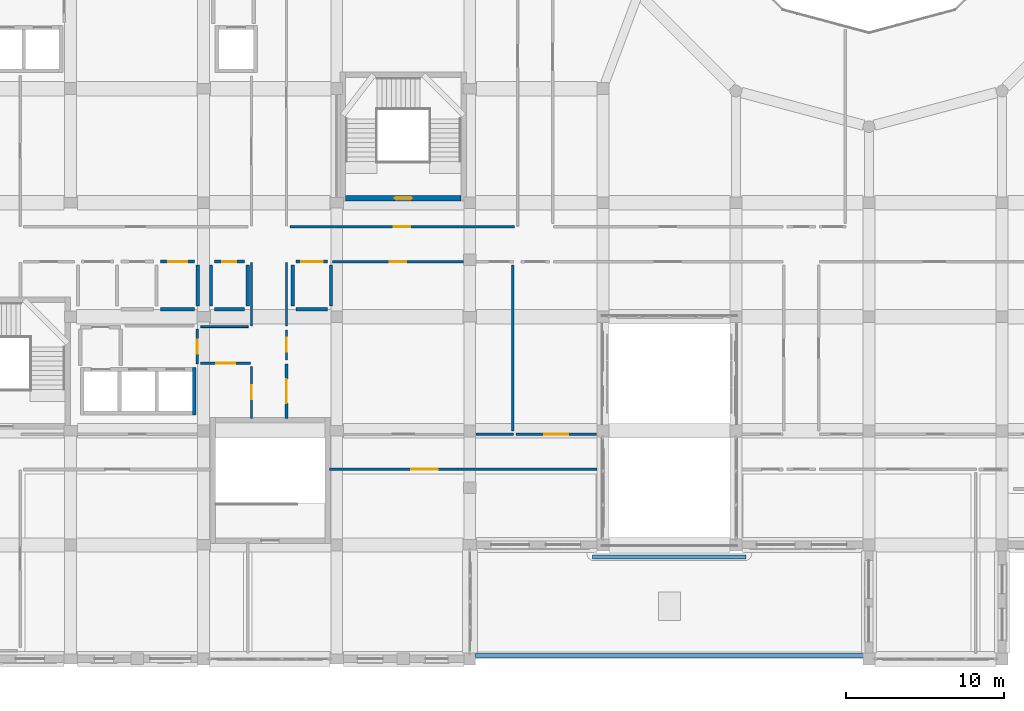
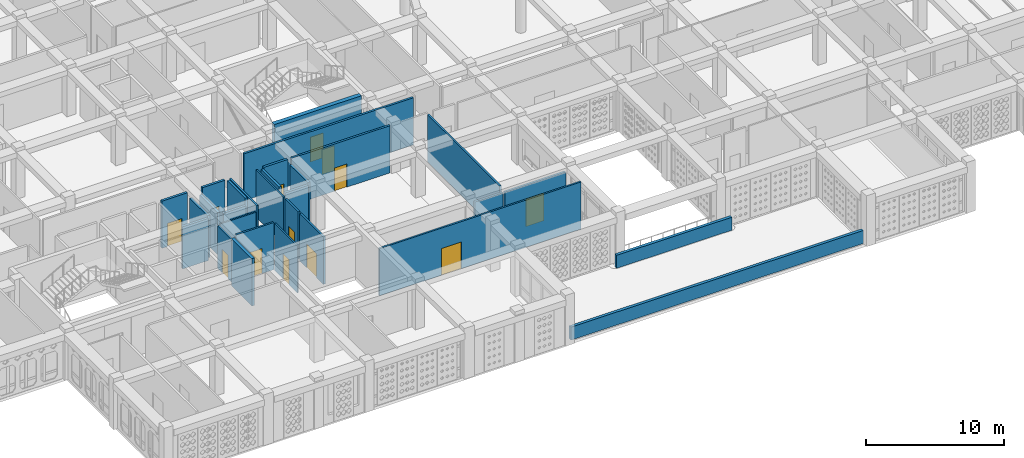
# One storey, part 57 of 111: 29 walls, 13 doors, 13 openings.
"""IFC4 building model written with IfcOpenShell, lengths in metres."""

from ifc_helpers import new_model, si_unit, derived_unit, direction, frame, frame_2d, origin, place, context, subcontext, project, spatial, rectangle, extrude, material, layer, layer_set, type_object, element, fill, save


model = new_model("IFC4")

# Units and contexts
model_context = context("Model", 3, precision=1e-05, world=origin(), true_north=direction((0.0, 1.0)))
body_context = subcontext(model_context, "Body", "Model", "MODEL_VIEW")
ifc_project = project(units=[si_unit("LENGTHUNIT", "METRE"), si_unit("AREAUNIT", "SQUARE_METRE"), si_unit("VOLUMEUNIT", "CUBIC_METRE"), si_unit("PLANEANGLEUNIT", "RADIAN"), si_unit("MASSUNIT", "GRAM", prefix="KILO"), derived_unit("THERMALTRANSMITTANCEUNIT", [(si_unit("POWERUNIT", "WATT"), 1), (si_unit("LENGTHUNIT", "METRE"), -2), (si_unit("THERMODYNAMICTEMPERATUREUNIT", "KELVIN"), -1)])], contexts=[model_context])

# Site, building, storey
site_placement = place(None, origin())
site = spatial("IfcSite", under=ifc_project, at=site_placement, CompositionType="ELEMENT")
building_placement = place(site_placement, origin())
building = spatial("IfcBuilding", under=site, at=building_placement, Name="Veybourne Emporium", CompositionType="ELEMENT")
storey_placement = place(building_placement, frame((0.0, 0.0, 9.89990234375)))
storey = spatial("IfcBuildingStorey", under=building, at=storey_placement, Name="L02", CompositionType="ELEMENT", Elevation=9.89990234375)

# Walls
ifc_material_1 = material(Name="Precast concrete C40/50", Category="concrete")
ifc_layer_1 = layer(ifc_material_1, 0.239990234375)
ifc_layer_set_1 = layer_set([ifc_layer_1], Name="Precast concrete C40/50")
wall_type_1 = type_object("IfcWallType", Name="ExtWall_PW-02", PredefinedType="PARAPET", material=ifc_layer_set_1)
wall_1_placement = place(storey_placement, frame((75.25, 0.219970703125, 0.0), z_axis=(0.0, 0.0, 1.0), x_axis=(-1.0, 0.0, 0.0)))
element("IfcWall", 1, at=wall_1_placement, inside=storey, type_object=wall_type_1, Name="L02 roof parapet wall 001", PredefinedType="PARAPET", context=body_context, shape_type="SweptSolid", body=[
    extrude(rectangle(XDim=24.5, YDim=0.239990234375, at=frame_2d((12.25, 0.0))), origin(), (0.0, 0.0, 1.0), 1.150146484375),
])
wall_2_placement = place(storey_placement, frame((58.159912109375, 6.429931640625, 0.0), z_axis=(0.0, 0.0, 1.0), x_axis=(1.0, 0.0, 0.0)))
element("IfcWall", 2, at=wall_2_placement, inside=storey, type_object=wall_type_1, Name="L02 roof parapet wall 002", PredefinedType="PARAPET", context=body_context, shape_type="SweptSolid", body=[
    extrude(rectangle(XDim=9.68017578125, YDim=0.239990234375, at=frame_2d((4.840087890625, 0.0))), origin(), (0.0, 0.0, 1.0), 1.150146484375),
])

# Wall, opening, door
ifc_material_2 = material(Name="Concrete C40/50", Category="concrete")
ifc_layer_2 = layer(ifc_material_2, 0.35009765625)
ifc_layer_set_2 = layer_set([ifc_layer_2], Name="Concrete C40/50")
wall_type_2 = type_object("IfcWallType", Name="IntWall_CW-02", PredefinedType="SHEAR", material=ifc_layer_set_2)
wall_3_placement = place(storey_placement, frame((49.85009765625, 29.074951171875, 0.0), z_axis=(0.0, 0.0, 1.0), x_axis=(-1.0, 0.0, 0.0)))
wall_3 = element("IfcWall", 3, at=wall_3_placement, inside=storey, type_object=wall_type_2, Name="Core stair ST-05 south shear wall (L02)", PredefinedType="SHEAR", context=body_context, shape_type="SweptSolid", body=[
    extrude(rectangle(XDim=7.300048828125, YDim=0.35009765625, at=frame_2d((3.64990234375, 0.0))), origin(), (0.0, 0.0, 1.0), 4.5),
])
opening_1_placement = place(wall_3_placement, frame((3.10009765625, 0.0, 0.0)))
opening_1 = element("IfcOpeningElement", 4, at=opening_1_placement, cuts=wall_3, Name="Opening FD-01", PredefinedType="OPENING", context=body_context, shape_type="SweptSolid", body=[
    extrude(rectangle(XDim=1.10009765625, YDim=2.199951171875, at=frame_2d((0.550048828125, 1.10009765625))), frame((0.0, 0.195068359375, 0.0), z_axis=(0.0, -1.0, 0.0), x_axis=(1.0, 0.0, 0.0)), (0.0, 0.0, 1.0), 0.39013671875),
])
ifc_material_3 = material(Name="Patinated Architectural Bronze", Category="bronze")
door_type_1 = type_object("IfcDoorType", Name="FireDoor_FD-01", OperationType="NOTDEFINED", PredefinedType="DOOR", material=ifc_material_3)
door_1_placement = place(opening_1_placement, origin())
door_1 = element("IfcDoor", 5, at=door_1_placement, inside=storey, type_object=door_type_1, Name="Stair ST-05 fire door (L02)", OperationType="SINGLE_SWING_RIGHT", OverallHeight=2.199951171875, OverallWidth=1.10009765625, PredefinedType="DOOR", context=body_context, shape_type="SweptSolid", body=[
    extrude(rectangle(XDim=1.10009765625, YDim=2.199951171875, at=frame_2d((0.550048828125, 1.10009765625))), frame((0.0, 0.02490234375, 0.0), z_axis=(0.0, -1.0, 0.0), x_axis=(1.0, 0.0, 0.0)), (0.0, 0.0, 1.0), 0.050048828125),
])
fill(opening_1, door_1)

# Wall
ifc_layer_3 = layer(ifc_material_2, 0.239990234375)
ifc_layer_set_3 = layer_set([ifc_layer_3], Name="Concrete C40/50")
wall_type_3 = type_object("IfcWallType", Name="IntWall_CW-04", PredefinedType="SHEAR", material=ifc_layer_set_3)
wall_4_placement = place(storey_placement, frame((33.0, 15.409912109375, 0.0), z_axis=(0.0, 0.0, 1.0), x_axis=(0.0, 1.0, 0.0)))
element("IfcWall", 6, at=wall_4_placement, inside=storey, type_object=wall_type_3, Name="Lift core C1 east shaft wall (L02)", PredefinedType="SHEAR", context=body_context, shape_type="SweptSolid", body=[
    extrude(rectangle(XDim=2.97998046875, YDim=0.239990234375, at=frame_2d((1.489990234375, 0.0))), origin(), (0.0, 0.0, 1.0), 4.18017578125),
])

# Wall, opening, door
ifc_material_4 = material(Name="Gypsum Acoustic Board", Category="gypsum")
ifc_layer_4 = layer(ifc_material_4, 0.179931640625)
ifc_layer_set_4 = layer_set([ifc_layer_4], Name="Gypsum Acoustic Board")
wall_type_4 = type_object("IfcWallType", Name="IntWall_IW-01", PredefinedType="PARTITIONING", material=ifc_layer_set_4)
wall_5_placement = place(storey_placement, frame((39.0400390625, 27.280029296875, 0.0), z_axis=(0.0, 0.0, 1.0), x_axis=(1.0, 0.0, 0.0)))
wall_5 = element("IfcWall", 7, at=wall_5_placement, inside=storey, type_object=wall_type_4, Name="L02 interior partition IW-01 #030", PredefinedType="PARTITIONING", context=body_context, shape_type="SweptSolid", body=[
    extrude(rectangle(XDim=14.169921875, YDim=0.179931640625, at=frame_2d((7.0849609375, 0.0))), origin(), (0.0, 0.0, 1.0), 4.18017578125),
])
opening_2_placement = place(wall_5_placement, frame((6.56494140625, 0.0, 0.0)))
opening_2 = element("IfcOpeningElement", 8, at=opening_2_placement, cuts=wall_5, Name="Opening D-14", PredefinedType="OPENING", context=body_context, shape_type="SweptSolid", body=[
    extrude(rectangle(XDim=1.0400390625, YDim=2.2099609375, at=frame_2d((0.52001953125, 1.10498046875))), frame((0.0, 0.10986328125, 0.0), z_axis=(0.0, -1.0, 0.0), x_axis=(1.0, 0.0, 0.0)), (0.0, 0.0, 1.0), 0.219970703125),
])
ifc_material_5 = material(Name="European Oak Veneer and Bronze", Category="wood")
door_type_2 = type_object("IfcDoorType", Name="IntDoor_D-14", OperationType="NOTDEFINED", PredefinedType="DOOR", material=ifc_material_5)
door_2_placement = place(opening_2_placement, origin())
door_2 = element("IfcDoor", 9, at=door_2_placement, inside=storey, type_object=door_type_2, Name="L02 interior door D-14 (PART-L02-030)", OperationType="SINGLE_SWING_LEFT", OverallHeight=2.2099609375, OverallWidth=1.0400390625, PredefinedType="DOOR", context=body_context, shape_type="SweptSolid", body=[
    extrude(rectangle(XDim=1.0400390625, YDim=2.2099609375, at=frame_2d((0.52001953125, 1.10498046875))), frame((0.0, 0.02490234375, 0.0), z_axis=(0.0, -1.0, 0.0), x_axis=(1.0, 0.0, 0.0)), (0.0, 0.0, 1.0), 0.050048828125),
])
fill(opening_2, door_2)

# Wall
wall_6_placement = place(storey_placement, frame((50.794921875, 14.179931640625, 0.0), z_axis=(0.0, 0.0, 1.0), x_axis=(1.0, 0.0, 0.0)))
element("IfcWall", 10, at=wall_6_placement, inside=storey, type_object=wall_type_4, Name="L02 interior partition IW-01 #051", PredefinedType="PARTITIONING", context=body_context, shape_type="SweptSolid", body=[
    extrude(rectangle(XDim=2.360107421875, YDim=0.179931640625, at=frame_2d((1.18017578125, 0.0))), origin(), (0.0, 0.0, 1.0), 3.72998046875),
])

# Wall, opening, door
wall_7_placement = place(storey_placement, frame((41.735107421875, 25.070068359375, 0.0), z_axis=(0.0, 0.0, 1.0), x_axis=(1.0, 0.0, 0.0)))
wall_7 = element("IfcWall", 11, at=wall_7_placement, inside=storey, type_object=wall_type_4, Name="L02 interior partition IW-01 #054", PredefinedType="PARTITIONING", context=body_context, shape_type="SweptSolid", body=[
    extrude(rectangle(XDim=8.2548828125, YDim=0.179931640625, at=frame_2d((4.12744140625, 0.0))), origin(), (0.0, 0.0, 1.0), 4.18017578125),
])
opening_3_placement = place(wall_7_placement, frame((3.607421875, 0.0, 0.0)))
opening_3 = element("IfcOpeningElement", 12, at=opening_3_placement, cuts=wall_7, Name="Opening D-02", PredefinedType="OPENING", context=body_context, shape_type="SweptSolid", body=[
    extrude(rectangle(XDim=1.0400390625, YDim=2.050048828125, at=frame_2d((0.52001953125, 1.02490234375))), frame((0.0, 0.10986328125, 0.0), z_axis=(0.0, -1.0, 0.0), x_axis=(1.0, 0.0, 0.0)), (0.0, 0.0, 1.0), 0.219970703125),
])
door_type_3 = type_object("IfcDoorType", Name="IntDoor_D-02", OperationType="NOTDEFINED", PredefinedType="DOOR", material=ifc_material_5)
door_3_placement = place(opening_3_placement, origin())
door_3 = element("IfcDoor", 13, at=door_3_placement, inside=storey, type_object=door_type_3, Name="L02 interior door D-02 (PART-L02-054)", OperationType="SINGLE_SWING_RIGHT", OverallHeight=2.050048828125, OverallWidth=1.0400390625, PredefinedType="DOOR", context=body_context, shape_type="SweptSolid", body=[
    extrude(rectangle(XDim=1.0400390625, YDim=2.050048828125, at=frame_2d((0.52001953125, 1.02490234375))), frame((0.0, 0.02490234375, 0.0), z_axis=(0.0, -1.0, 0.0), x_axis=(1.0, 0.0, 0.0)), (0.0, 0.0, 1.0), 0.050048828125),
])
fill(opening_3, door_3)

wall_8_placement = place(storey_placement, frame((53.31494140625, 14.179931640625, 0.0), z_axis=(0.0, 0.0, 1.0), x_axis=(1.0, 0.0, 0.0)))
wall_8 = element("IfcWall", 14, at=wall_8_placement, inside=storey, type_object=wall_type_4, Name="L02 interior partition IW-01 #087", PredefinedType="PARTITIONING", context=body_context, shape_type="SweptSolid", body=[
    extrude(rectangle(XDim=5.090087890625, YDim=0.179931640625, at=frame_2d((2.544921875, 0.0))), origin(), (0.0, 0.0, 1.0), 3.72998046875),
])
opening_4_placement = place(wall_8_placement, frame((1.784912109375, 0.0, 0.0)))
opening_4 = element("IfcOpeningElement", 15, at=opening_4_placement, cuts=wall_8, Name="Opening D-35", PredefinedType="OPENING", context=body_context, shape_type="SweptSolid", body=[
    extrude(rectangle(XDim=1.52001953125, YDim=2.449951171875, at=frame_2d((0.760009765625, 1.22509765625))), frame((0.0, 0.10986328125, 0.0), z_axis=(0.0, -1.0, 0.0), x_axis=(1.0, 0.0, 0.0)), (0.0, 0.0, 1.0), 0.219970703125),
])
door_type_4 = type_object("IfcDoorType", Name="IntDoor_D-35", OperationType="NOTDEFINED", PredefinedType="DOOR", material=ifc_material_5)
door_4_placement = place(opening_4_placement, origin())
door_4 = element("IfcDoor", 16, at=door_4_placement, inside=storey, type_object=door_type_4, Name="L02 interior door D-35 (PART-L02-087)", OperationType="SINGLE_SWING_RIGHT", OverallHeight=2.449951171875, OverallWidth=1.52001953125, PredefinedType="DOOR", context=body_context, shape_type="SweptSolid", body=[
    extrude(rectangle(XDim=1.52001953125, YDim=2.449951171875, at=frame_2d((0.760009765625, 1.22509765625))), frame((0.0, 0.02490234375, 0.0), z_axis=(0.0, -1.0, 0.0), x_axis=(1.0, 0.0, 0.0)), (0.0, 0.0, 1.0), 0.050048828125),
])
fill(opening_4, door_4)

wall_9_placement = place(storey_placement, frame((38.830078125, 15.18994140625, 0.0), z_axis=(0.0, 0.0, 1.0), x_axis=(0.0, 1.0, 0.0)))
wall_9 = element("IfcWall", 17, at=wall_9_placement, inside=storey, type_object=wall_type_4, Name="L02 interior partition IW-01 #099", PredefinedType="PARTITIONING", context=body_context, shape_type="SweptSolid", body=[
    extrude(rectangle(XDim=3.43017578125, YDim=0.179931640625, at=frame_2d((1.715087890625, 0.0))), origin(), (0.0, 0.0, 1.0), 4.18017578125),
])
opening_5_placement = place(wall_9_placement, frame((0.955078125, 0.0, 0.0)))
opening_5 = element("IfcOpeningElement", 18, at=opening_5_placement, cuts=wall_9, Name="Opening D-11", PredefinedType="OPENING", context=body_context, shape_type="SweptSolid", body=[
    extrude(rectangle(XDim=1.52001953125, YDim=2.1298828125, at=frame_2d((0.760009765625, 1.06494140625))), frame((0.0, 0.10986328125, 0.0), z_axis=(0.0, -1.0, 0.0), x_axis=(1.0, 0.0, 0.0)), (0.0, 0.0, 1.0), 0.219970703125),
])
door_type_5 = type_object("IfcDoorType", Name="IntDoor_D-11", OperationType="NOTDEFINED", PredefinedType="DOOR", material=ifc_material_5)
door_5_placement = place(opening_5_placement, origin())
door_5 = element("IfcDoor", 19, at=door_5_placement, inside=storey, type_object=door_type_5, Name="L02 interior door D-11 (PART-L02-099)", OperationType="SINGLE_SWING_LEFT", OverallHeight=2.1298828125, OverallWidth=1.52001953125, PredefinedType="DOOR", context=body_context, shape_type="SweptSolid", body=[
    extrude(rectangle(XDim=1.52001953125, YDim=2.1298828125, at=frame_2d((0.760009765625, 1.06494140625))), frame((0.0, 0.02490234375, 0.0), z_axis=(0.0, -1.0, 0.0), x_axis=(1.0, 0.0, 0.0)), (0.0, 0.0, 1.0), 0.050048828125),
])
fill(opening_5, door_5)

ifc_layer_5 = layer(ifc_material_4, 0.14990234375)
ifc_layer_set_5 = layer_set([ifc_layer_5], Name="Gypsum Acoustic Board")
wall_type_5 = type_object("IfcWallType", Name="IntWall_IW-02", PredefinedType="PARTITIONING", material=ifc_layer_set_5)
wall_10_placement = place(storey_placement, frame((41.5400390625, 11.969970703125, 0.0), z_axis=(0.0, 0.0, 1.0), x_axis=(1.0, 0.0, 0.0)))
wall_10 = element("IfcWall", 20, at=wall_10_placement, inside=storey, type_object=wall_type_5, Name="L02 interior partition IW-02 #010", PredefinedType="PARTITIONING", context=body_context, shape_type="SweptSolid", body=[
    extrude(rectangle(XDim=16.889892578125, YDim=0.14990234375, at=frame_2d((8.44482421875, 0.0))), origin(), (0.0, 0.0, 1.0), 4.18017578125),
])
opening_6_placement = place(wall_10_placement, frame((5.17138671875, 0.0, 0.0)))
opening_6 = element("IfcOpeningElement", 21, at=opening_6_placement, cuts=wall_10, Name="Opening D-30", PredefinedType="OPENING", context=body_context, shape_type="SweptSolid", body=[
    extrude(rectangle(XDim=1.679931640625, YDim=2.3701171875, at=frame_2d((0.83984375, 1.18505859375))), frame((0.0, 0.094970703125, 0.0), z_axis=(0.0, -1.0, 0.0), x_axis=(1.0, 0.0, 0.0)), (0.0, 0.0, 1.0), 0.18994140625),
])
door_type_6 = type_object("IfcDoorType", Name="IntDoor_D-30", OperationType="DOUBLE_DOOR_SINGLE_SWING", PredefinedType="DOOR", material=ifc_material_5)
door_6_placement = place(opening_6_placement, origin())
door_6 = element("IfcDoor", 22, at=door_6_placement, inside=storey, type_object=door_type_6, Name="L02 interior door D-30 (PART-L02-010)", OperationType="DOUBLE_DOOR_SINGLE_SWING", OverallHeight=2.3701171875, OverallWidth=1.679931640625, PredefinedType="DOOR", context=body_context, shape_type="SweptSolid", body=[
    extrude(rectangle(XDim=1.679931640625, YDim=2.3701171875, at=frame_2d((0.83984375, 1.18505859375))), frame((0.0, 0.02490234375, 0.0), z_axis=(0.0, -1.0, 0.0), x_axis=(1.0, 0.0, 0.0)), (0.0, 0.0, 1.0), 0.050048828125),
])
fill(opening_6, door_6)

# Wall
wall_11_placement = place(storey_placement, frame((36.6201171875, 21.030029296875, 0.0), z_axis=(0.0, 0.0, 1.0), x_axis=(0.0, 1.0, 0.0)))
element("IfcWall", 23, at=wall_11_placement, inside=storey, type_object=wall_type_5, Name="L02 interior partition IW-02 #094", PredefinedType="PARTITIONING", context=body_context, shape_type="SweptSolid", body=[
    extrude(rectangle(XDim=3.989990234375, YDim=0.14990234375, at=frame_2d((1.9951171875, 0.0))), origin(), (0.0, 0.0, 1.0), 4.18017578125),
])

# Wall, opening, door
wall_12_placement = place(storey_placement, frame((33.409912109375, 18.669921875, 0.0), z_axis=(0.0, 0.0, 1.0), x_axis=(1.0, 0.0, 0.0)))
wall_12 = element("IfcWall", 24, at=wall_12_placement, inside=storey, type_object=wall_type_5, Name="L02 interior partition IW-02 #103", PredefinedType="PARTITIONING", context=body_context, shape_type="SweptSolid", body=[
    extrude(rectangle(XDim=3.16015625, YDim=0.14990234375, at=frame_2d((1.580078125, 0.0))), origin(), (0.0, 0.0, 1.0), 4.18017578125),
])
opening_7_placement = place(wall_12_placement, frame((0.97998046875, 0.0, 0.0)))
opening_7 = element("IfcOpeningElement", 25, at=opening_7_placement, cuts=wall_12, Name="Opening D-15", PredefinedType="OPENING", context=body_context, shape_type="SweptSolid", body=[
    extrude(rectangle(XDim=1.199951171875, YDim=2.2099609375, at=frame_2d((0.60009765625, 1.10498046875))), frame((0.0, 0.094970703125, 0.0), z_axis=(0.0, -1.0, 0.0), x_axis=(1.0, 0.0, 0.0)), (0.0, 0.0, 1.0), 0.18994140625),
])
door_type_7 = type_object("IfcDoorType", Name="IntDoor_D-15", OperationType="NOTDEFINED", PredefinedType="DOOR", material=ifc_material_5)
door_7_placement = place(opening_7_placement, origin())
door_7 = element("IfcDoor", 26, at=door_7_placement, inside=storey, type_object=door_type_7, Name="L02 interior door D-15 (PART-L02-103)", OperationType="SINGLE_SWING_LEFT", OverallHeight=2.2099609375, OverallWidth=1.199951171875, PredefinedType="DOOR", context=body_context, shape_type="SweptSolid", body=[
    extrude(rectangle(XDim=1.199951171875, YDim=2.2099609375, at=frame_2d((0.60009765625, 1.10498046875))), frame((0.0, 0.02490234375, 0.0), z_axis=(0.0, -1.0, 0.0), x_axis=(1.0, 0.0, 0.0)), (0.0, 0.0, 1.0), 0.050048828125),
])
fill(opening_7, door_7)

wall_13_placement = place(storey_placement, frame((33.199951171875, 18.6201171875, 0.0), z_axis=(0.0, 0.0, 1.0), x_axis=(0.0, 1.0, 0.0)))
wall_13 = element("IfcWall", 27, at=wall_13_placement, inside=storey, type_object=wall_type_5, Name="L02 interior partition IW-02 #124", PredefinedType="PARTITIONING", context=body_context, shape_type="SweptSolid", body=[
    extrude(rectangle(XDim=2.199951171875, YDim=0.14990234375, at=frame_2d((1.10009765625, 0.0))), origin(), (0.0, 0.0, 1.0), 3.72998046875),
])
opening_8_placement = place(wall_13_placement, frame((0.659912109375, 0.0, 0.0)))
opening_8 = element("IfcOpeningElement", 28, at=opening_8_placement, cuts=wall_13, Name="Opening D-01", PredefinedType="OPENING", context=body_context, shape_type="SweptSolid", body=[
    extrude(rectangle(XDim=0.8798828125, YDim=2.050048828125, at=frame_2d((0.43994140625, 1.02490234375))), frame((0.0, 0.094970703125, 0.0), z_axis=(0.0, -1.0, 0.0), x_axis=(1.0, 0.0, 0.0)), (0.0, 0.0, 1.0), 0.18994140625),
])
door_type_8 = type_object("IfcDoorType", Name="IntDoor_D-01", OperationType="NOTDEFINED", PredefinedType="DOOR", material=ifc_material_5)
door_8_placement = place(opening_8_placement, origin())
door_8 = element("IfcDoor", 29, at=door_8_placement, inside=storey, type_object=door_type_8, Name="L02 interior door D-01 (PART-L02-124)", OperationType="SINGLE_SWING_RIGHT", OverallHeight=2.050048828125, OverallWidth=0.8798828125, PredefinedType="DOOR", context=body_context, shape_type="SweptSolid", body=[
    extrude(rectangle(XDim=0.8798828125, YDim=2.050048828125, at=frame_2d((0.43994140625, 1.02490234375))), frame((0.0, 0.02490234375, 0.0), z_axis=(0.0, -1.0, 0.0), x_axis=(1.0, 0.0, 0.0)), (0.0, 0.0, 1.0), 0.050048828125),
])
fill(opening_8, door_8)

wall_14_placement = place(storey_placement, frame((38.830078125, 18.8798828125, 0.0), z_axis=(0.0, 0.0, 1.0), x_axis=(0.0, 1.0, 0.0)))
wall_14 = element("IfcWall", 30, at=wall_14_placement, inside=storey, type_object=wall_type_5, Name="L02 interior partition IW-02 #136", PredefinedType="PARTITIONING", context=body_context, shape_type="SweptSolid", body=[
    extrude(rectangle(XDim=1.89013671875, YDim=0.14990234375, at=frame_2d((0.945068359375, 0.0))), origin(), (0.0, 0.0, 1.0), 4.18017578125),
])
opening_9_placement = place(wall_14_placement, frame((0.5048828125, 0.0, 0.0)))
opening_9 = element("IfcOpeningElement", 31, at=opening_9_placement, cuts=wall_14, Name="Opening D-01", PredefinedType="OPENING", context=body_context, shape_type="SweptSolid", body=[
    extrude(rectangle(XDim=0.8798828125, YDim=2.050048828125, at=frame_2d((0.43994140625, 1.02490234375))), frame((0.0, 0.094970703125, 0.0), z_axis=(0.0, -1.0, 0.0), x_axis=(1.0, 0.0, 0.0)), (0.0, 0.0, 1.0), 0.18994140625),
])
door_9_placement = place(opening_9_placement, origin())
door_9 = element("IfcDoor", 32, at=door_9_placement, inside=storey, type_object=door_type_8, Name="L02 interior door D-01 (PART-L02-136)", OperationType="SINGLE_SWING_RIGHT", OverallHeight=2.050048828125, OverallWidth=0.8798828125, PredefinedType="DOOR", context=body_context, shape_type="SweptSolid", body=[
    extrude(rectangle(XDim=0.8798828125, YDim=2.050048828125, at=frame_2d((0.43994140625, 1.02490234375))), frame((0.0, 0.02490234375, 0.0), z_axis=(0.0, -1.0, 0.0), x_axis=(1.0, 0.0, 0.0)), (0.0, 0.0, 1.0), 0.050048828125),
])
fill(opening_9, door_9)

# Walls
wall_15_placement = place(storey_placement, frame((53.10498046875, 14.389892578125, 0.0), z_axis=(0.0, 0.0, 1.0), x_axis=(0.0, 1.0, 0.0)))
element("IfcWall", 33, at=wall_15_placement, inside=storey, type_object=wall_type_5, Name="L02 interior partition IW-02 #181", PredefinedType="PARTITIONING", context=body_context, shape_type="SweptSolid", body=[
    extrude(rectangle(XDim=10.47021484375, YDim=0.14990234375, at=frame_2d((5.235107421875, 0.0))), origin(), (0.0, 0.0, 1.0), 4.18017578125),
])
ifc_layer_6 = layer(ifc_material_4, 0.1201171875)
ifc_layer_set_6 = layer_set([ifc_layer_6], Name="Gypsum Acoustic Board")
wall_type_6 = type_object("IfcWallType", Name="IntWall_IW-03", PredefinedType="PARTITIONING", material=ifc_layer_set_6)
wall_16_placement = place(storey_placement, frame((38.830078125, 21.030029296875, 0.0), z_axis=(0.0, 0.0, 1.0), x_axis=(0.0, 1.0, 0.0)))
element("IfcWall", 34, at=wall_16_placement, inside=storey, type_object=wall_type_6, Name="L02 interior partition IW-03 #095", PredefinedType="PARTITIONING", context=body_context, shape_type="SweptSolid", body=[
    extrude(rectangle(XDim=3.989990234375, YDim=0.1201171875, at=frame_2d((1.9951171875, 0.0))), origin(), (0.0, 0.0, 1.0), 4.18017578125),
])

# Wall, opening, door
wall_17_placement = place(storey_placement, frame((36.6201171875, 15.18994140625, 0.0), z_axis=(0.0, 0.0, 1.0), x_axis=(0.0, 1.0, 0.0)))
wall_17 = element("IfcWall", 35, at=wall_17_placement, inside=storey, type_object=wall_type_6, Name="L02 interior partition IW-03 #101", PredefinedType="PARTITIONING", context=body_context, shape_type="SweptSolid", body=[
    extrude(rectangle(XDim=3.27001953125, YDim=0.1201171875, at=frame_2d((1.635009765625, 0.0))), origin(), (0.0, 0.0, 1.0), 4.18017578125),
])
opening_10_placement = place(wall_17_placement, frame((1.195068359375, 0.0, 0.0)))
opening_10 = element("IfcOpeningElement", 36, at=opening_10_placement, cuts=wall_17, Name="Opening D-13", PredefinedType="OPENING", context=body_context, shape_type="SweptSolid", body=[
    extrude(rectangle(XDim=0.8798828125, YDim=2.2099609375, at=frame_2d((0.43994140625, 1.10498046875))), frame((0.0, 0.080078125, 0.0), z_axis=(0.0, -1.0, 0.0), x_axis=(1.0, 0.0, 0.0)), (0.0, 0.0, 1.0), 0.16015625),
])
door_type_9 = type_object("IfcDoorType", Name="IntDoor_D-13", OperationType="NOTDEFINED", PredefinedType="DOOR", material=ifc_material_5)
door_10_placement = place(opening_10_placement, origin())
door_10 = element("IfcDoor", 37, at=door_10_placement, inside=storey, type_object=door_type_9, Name="L02 interior door D-13 (PART-L02-101)", OperationType="SINGLE_SWING_LEFT", OverallHeight=2.2099609375, OverallWidth=0.8798828125, PredefinedType="DOOR", context=body_context, shape_type="SweptSolid", body=[
    extrude(rectangle(XDim=0.8798828125, YDim=2.2099609375, at=frame_2d((0.43994140625, 1.10498046875))), frame((0.0, 0.02490234375, 0.0), z_axis=(0.0, -1.0, 0.0), x_axis=(1.0, 0.0, 0.0)), (0.0, 0.0, 1.0), 0.050048828125),
])
fill(opening_10, door_10)

# Wall
wall_18_placement = place(storey_placement, frame((33.409912109375, 20.97998046875, 0.0), z_axis=(0.0, 0.0, 1.0), x_axis=(1.0, 0.0, 0.0)))
element("IfcWall", 38, at=wall_18_placement, inside=storey, type_object=wall_type_6, Name="L02 interior partition IW-03 #104", PredefinedType="PARTITIONING", context=body_context, shape_type="SweptSolid", body=[
    extrude(rectangle(XDim=3.0, YDim=0.1201171875, at=frame_2d((1.5, 0.0))), origin(), (0.0, 0.0, 1.0), 3.72998046875),
])

# Wall, opening, door
ifc_layer_7 = layer(ifc_material_4, 0.199951171875)
ifc_layer_set_7 = layer_set([ifc_layer_7], Name="Gypsum Acoustic Board")
wall_type_7 = type_object("IfcWallType", Name="IntWall_IW-04", PredefinedType="PLUMBINGWALL", material=ifc_layer_set_7)
wall_19_placement = place(storey_placement, frame((30.8798828125, 25.080078125, 0.0), z_axis=(0.0, 0.0, 1.0), x_axis=(1.0, 0.0, 0.0)))
wall_19 = element("IfcWall", 39, at=wall_19_placement, inside=storey, type_object=wall_type_7, Name="L02 interior partition IW-04 #127", PredefinedType="PLUMBINGWALL", context=body_context, shape_type="SweptSolid", body=[
    extrude(rectangle(XDim=2.14013671875, YDim=0.199951171875, at=frame_2d((1.070068359375, 0.0))), origin(), (0.0, 0.0, 1.0), 4.18017578125),
])
opening_11_placement = place(wall_19_placement, frame((0.469970703125, 0.0, 0.0)))
opening_11 = element("IfcOpeningElement", 40, at=opening_11_placement, cuts=wall_19, Name="Opening D-03", PredefinedType="OPENING", context=body_context, shape_type="SweptSolid", body=[
    extrude(rectangle(XDim=1.199951171875, YDim=2.050048828125, at=frame_2d((0.60009765625, 1.02490234375))), frame((0.0, 0.1201171875, 0.0), z_axis=(0.0, -1.0, 0.0), x_axis=(1.0, 0.0, 0.0)), (0.0, 0.0, 1.0), 0.239990234375),
])
door_type_10 = type_object("IfcDoorType", Name="IntDoor_D-03", OperationType="NOTDEFINED", PredefinedType="DOOR", material=ifc_material_5)
door_11_placement = place(opening_11_placement, origin())
door_11 = element("IfcDoor", 41, at=door_11_placement, inside=storey, type_object=door_type_10, Name="L02 interior door D-03 (PART-L02-127)", OperationType="SINGLE_SWING_RIGHT", OverallHeight=2.050048828125, OverallWidth=1.199951171875, PredefinedType="DOOR", context=body_context, shape_type="SweptSolid", body=[
    extrude(rectangle(XDim=1.199951171875, YDim=2.050048828125, at=frame_2d((0.60009765625, 1.02490234375))), frame((0.0, 0.02490234375, 0.0), z_axis=(0.0, -1.0, 0.0), x_axis=(1.0, 0.0, 0.0)), (0.0, 0.0, 1.0), 0.050048828125),
])
fill(opening_11, door_11)

wall_20_placement = place(storey_placement, frame((39.429931640625, 25.080078125, 0.0), z_axis=(0.0, 0.0, 1.0), x_axis=(1.0, 0.0, 0.0)))
wall_20 = element("IfcWall", 42, at=wall_20_placement, inside=storey, type_object=wall_type_7, Name="L02 interior partition IW-04 #134", PredefinedType="PLUMBINGWALL", context=body_context, shape_type="SweptSolid", body=[
    extrude(rectangle(XDim=1.989990234375, YDim=0.199951171875, at=frame_2d((0.9951171875, 0.0))), origin(), (0.0, 0.0, 1.0), 4.18017578125),
])
opening_12_placement = place(wall_20_placement, frame((0.31494140625, 0.0, 0.0)))
opening_12 = element("IfcOpeningElement", 43, at=opening_12_placement, cuts=wall_20, Name="Opening D-10", PredefinedType="OPENING", context=body_context, shape_type="SweptSolid", body=[
    extrude(rectangle(XDim=1.360107421875, YDim=2.1298828125, at=frame_2d((0.68017578125, 1.06494140625))), frame((0.0, 0.1201171875, 0.0), z_axis=(0.0, -1.0, 0.0), x_axis=(1.0, 0.0, 0.0)), (0.0, 0.0, 1.0), 0.239990234375),
])
door_type_11 = type_object("IfcDoorType", Name="IntDoor_D-10", OperationType="NOTDEFINED", PredefinedType="DOOR", material=ifc_material_5)
door_12_placement = place(opening_12_placement, origin())
door_12 = element("IfcDoor", 44, at=door_12_placement, inside=storey, type_object=door_type_11, Name="L02 interior door D-10 (PART-L02-134)", OperationType="SINGLE_SWING_RIGHT", OverallHeight=2.1298828125, OverallWidth=1.360107421875, PredefinedType="DOOR", context=body_context, shape_type="SweptSolid", body=[
    extrude(rectangle(XDim=1.360107421875, YDim=2.1298828125, at=frame_2d((0.68017578125, 1.06494140625))), frame((0.0, 0.02490234375, 0.0), z_axis=(0.0, -1.0, 0.0), x_axis=(1.0, 0.0, 0.0)), (0.0, 0.0, 1.0), 0.050048828125),
])
fill(opening_12, door_12)

wall_21_placement = place(storey_placement, frame((34.280029296875, 25.080078125, 0.0), z_axis=(0.0, 0.0, 1.0), x_axis=(1.0, 0.0, 0.0)))
wall_21 = element("IfcWall", 45, at=wall_21_placement, inside=storey, type_object=wall_type_7, Name="L02 interior partition IW-04 #135", PredefinedType="PLUMBINGWALL", context=body_context, shape_type="SweptSolid", body=[
    extrude(rectangle(XDim=1.889892578125, YDim=0.199951171875, at=frame_2d((0.94482421875, 0.0))), origin(), (0.0, 0.0, 1.0), 4.18017578125),
])
opening_13_placement = place(wall_21_placement, frame((0.5048828125, 0.0, 0.0)))
opening_13 = element("IfcOpeningElement", 46, at=opening_13_placement, cuts=wall_21, Name="Opening D-01", PredefinedType="OPENING", context=body_context, shape_type="SweptSolid", body=[
    extrude(rectangle(XDim=0.8798828125, YDim=2.050048828125, at=frame_2d((0.43994140625, 1.02490234375))), frame((0.0, 0.1201171875, 0.0), z_axis=(0.0, -1.0, 0.0), x_axis=(1.0, 0.0, 0.0)), (0.0, 0.0, 1.0), 0.239990234375),
])
door_13_placement = place(opening_13_placement, origin())
door_13 = element("IfcDoor", 47, at=door_13_placement, inside=storey, type_object=door_type_8, Name="L02 interior door D-01 (PART-L02-135)", OperationType="SINGLE_SWING_LEFT", OverallHeight=2.050048828125, OverallWidth=0.8798828125, PredefinedType="DOOR", context=body_context, shape_type="SweptSolid", body=[
    extrude(rectangle(XDim=0.8798828125, YDim=2.050048828125, at=frame_2d((0.43994140625, 1.02490234375))), frame((0.0, 0.02490234375, 0.0), z_axis=(0.0, -1.0, 0.0), x_axis=(1.0, 0.0, 0.0)), (0.0, 0.0, 1.0), 0.050048828125),
])
fill(opening_13, door_13)

# Walls
wall_22_placement = place(storey_placement, frame((33.22998046875, 22.280029296875, 0.0), z_axis=(0.0, 0.0, 1.0), x_axis=(0.0, 1.0, 0.0)))
element("IfcWall", 48, at=wall_22_placement, inside=storey, type_object=wall_type_7, Name="L02 interior partition IW-04 #205", PredefinedType="PLUMBINGWALL", context=body_context, shape_type="SweptSolid", body=[
    extrude(rectangle(XDim=2.590087890625, YDim=0.199951171875, at=frame_2d((1.294921875, 0.0))), origin(), (0.0, 0.0, 1.0), 3.72998046875),
])
wall_23_placement = place(storey_placement, frame((36.3798828125, 22.280029296875, 0.0), z_axis=(0.0, 0.0, 1.0), x_axis=(0.0, 1.0, 0.0)))
element("IfcWall", 49, at=wall_23_placement, inside=storey, type_object=wall_type_7, Name="L02 interior partition IW-04 #206", PredefinedType="PLUMBINGWALL", context=body_context, shape_type="SweptSolid", body=[
    extrude(rectangle(XDim=2.590087890625, YDim=0.199951171875, at=frame_2d((1.294921875, 0.0))), origin(), (0.0, 0.0, 1.0), 4.18017578125),
])
for number, where, z_axis, x_axis, name in (
    (50, (34.070068359375, 22.280029296875, 0.0), (0.0, 0.0, 1.0), (0.0, 1.0, 0.0), "L02 interior partition IW-04 #207"),
    (51, (41.6298828125, 22.280029296875, 0.0), (0.0, 0.0, 1.0), (0.0, 1.0, 0.0), "L02 interior partition IW-04 #208"),
):
    element("IfcWall", number, at=place(storey_placement, frame(where, z_axis=z_axis, x_axis=x_axis)), inside=storey, type_object=wall_type_7, Name=name, PredefinedType="PLUMBINGWALL", context=body_context, shape_type="SweptSolid", body=[
        extrude(rectangle(XDim=2.590087890625, YDim=0.199951171875, at=frame_2d((1.294921875, 0.0))), origin(), (0.0, 0.0, 1.0), 3.72998046875),
    ])
wall_24_placement = place(storey_placement, frame((39.219970703125, 22.280029296875, 0.0), z_axis=(0.0, 0.0, 1.0), x_axis=(0.0, 1.0, 0.0)))
element("IfcWall", 52, at=wall_24_placement, inside=storey, type_object=wall_type_7, Name="L02 interior partition IW-04 #209", PredefinedType="PLUMBINGWALL", context=body_context, shape_type="SweptSolid", body=[
    extrude(rectangle(XDim=2.590087890625, YDim=0.199951171875, at=frame_2d((1.294921875, 0.0))), origin(), (0.0, 0.0, 1.0), 4.18017578125),
])
wall_25_placement = place(storey_placement, frame((30.8798828125, 22.070068359375, 0.0), z_axis=(0.0, 0.0, 1.0), x_axis=(1.0, 0.0, 0.0)))
element("IfcWall", 53, at=wall_25_placement, inside=storey, type_object=wall_type_7, Name="L02 interior partition IW-04 #211", PredefinedType="PLUMBINGWALL", context=body_context, shape_type="SweptSolid", body=[
    extrude(rectangle(XDim=2.14013671875, YDim=0.199951171875, at=frame_2d((1.070068359375, 0.0))), origin(), (0.0, 0.0, 1.0), 3.72998046875),
])
wall_26_placement = place(storey_placement, frame((39.429931640625, 22.070068359375, 0.0), z_axis=(0.0, 0.0, 1.0), x_axis=(1.0, 0.0, 0.0)))
element("IfcWall", 54, at=wall_26_placement, inside=storey, type_object=wall_type_7, Name="L02 interior partition IW-04 #214", PredefinedType="PLUMBINGWALL", context=body_context, shape_type="SweptSolid", body=[
    extrude(rectangle(XDim=1.989990234375, YDim=0.199951171875, at=frame_2d((0.9951171875, 0.0))), origin(), (0.0, 0.0, 1.0), 3.72998046875),
])
wall_27_placement = place(storey_placement, frame((34.280029296875, 22.070068359375, 0.0), z_axis=(0.0, 0.0, 1.0), x_axis=(1.0, 0.0, 0.0)))
element("IfcWall", 55, at=wall_27_placement, inside=storey, type_object=wall_type_7, Name="L02 interior partition IW-04 #215", PredefinedType="PLUMBINGWALL", context=body_context, shape_type="SweptSolid", body=[
    extrude(rectangle(XDim=1.889892578125, YDim=0.199951171875, at=frame_2d((0.94482421875, 0.0))), origin(), (0.0, 0.0, 1.0), 3.72998046875),
])

save(model, "model.ifc")
